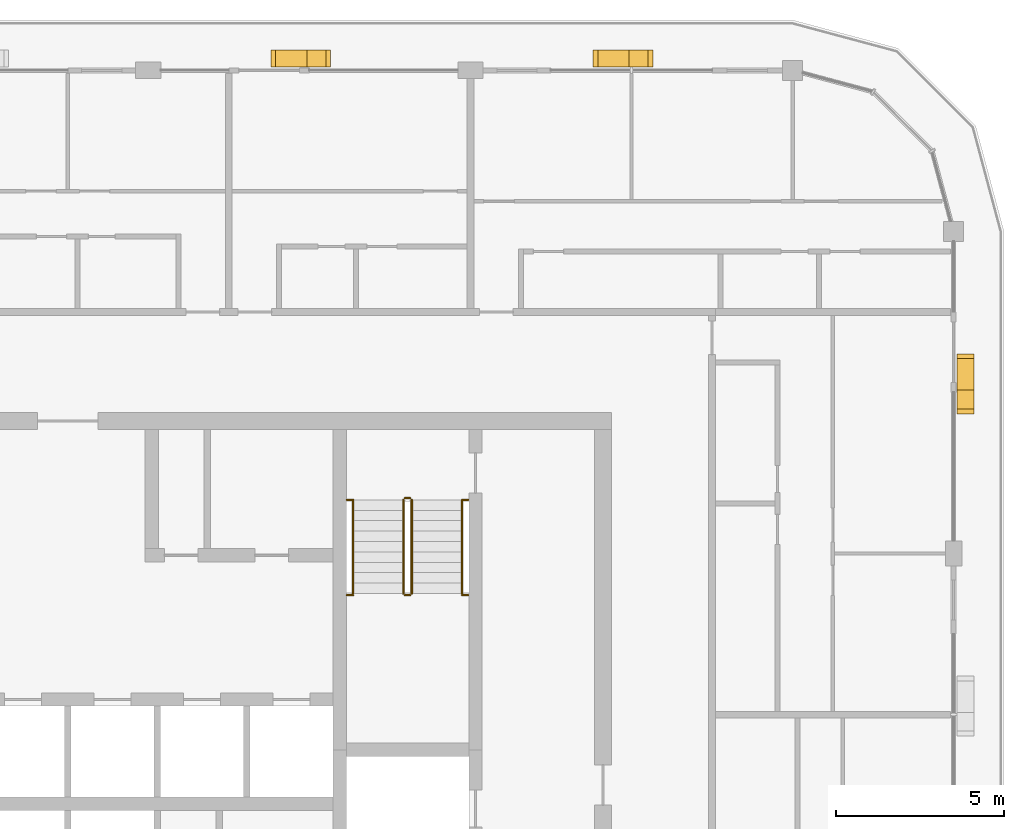
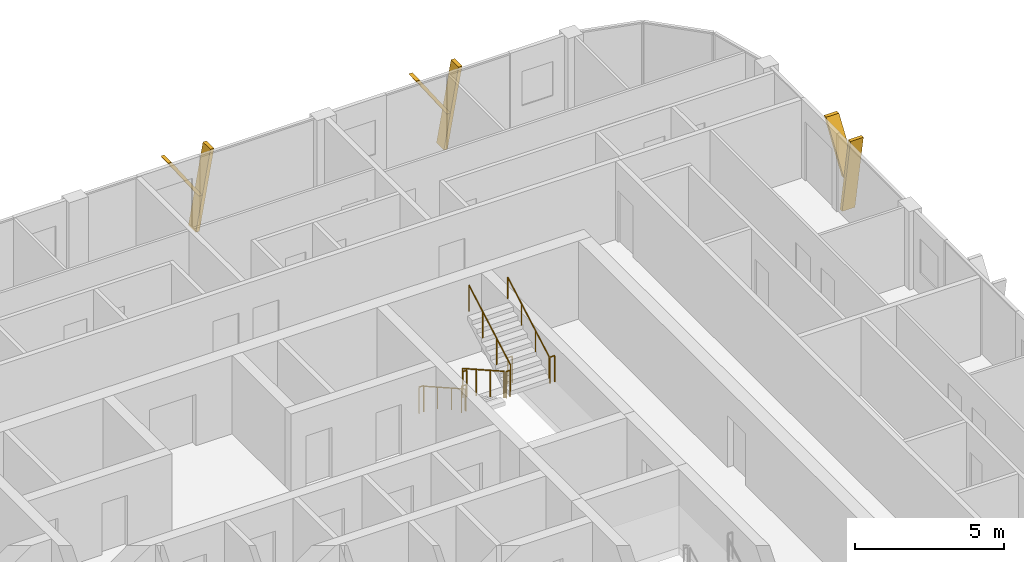
# One storey, part 21 of 21: 10 railings, 6 shading devices.
"""IFC4 building model written with IfcOpenShell, lengths in metres."""

from ifc_helpers import new_model, si_unit, direction, frame, origin, origin_2d, place, context, subcontext, project, spatial, polyline, circle, outline, extrude, material, type_object, element, save


model = new_model("IFC4")

# Units and contexts
model_context = context("Model", 3, precision=1e-05, world=origin(), true_north=direction((0.0, 1.0)))
body_context = subcontext(model_context, "Body", "Model", "MODEL_VIEW")
ifc_project = project(units=[si_unit("LENGTHUNIT", "METRE"), si_unit("AREAUNIT", "SQUARE_METRE"), si_unit("VOLUMEUNIT", "CUBIC_METRE"), si_unit("PLANEANGLEUNIT", "RADIAN"), si_unit("MASSUNIT", "GRAM", prefix="KILO")], contexts=[model_context])

# Site, building, storey
site_placement = place(None, origin())
site = spatial("IfcSite", under=ifc_project, at=site_placement, CompositionType="ELEMENT")
building_placement = place(site_placement, origin())
building = spatial("IfcBuilding", under=site, at=building_placement, Name="Madar Terraces", CompositionType="ELEMENT")
storey_placement = place(building_placement, frame((0.0, 0.0, 268.60009765625)))
storey = spatial("IfcBuildingStorey", under=building, at=storey_placement, Name="L70", CompositionType="ELEMENT", Elevation=268.60009765625)

# Shading devices
ifc_material_1 = material(Name="Aluminium, black anodised", Category="aluminium")
shading_device_type = type_object("IfcShadingDeviceType", Name="Facade fin blade 140 x 500", PredefinedType="USERDEFINED", material=ifc_material_1)
shading_device_1_placement = place(storey_placement, frame((57.949951171875, 38.330078125, 0.0), z_axis=(0.0, 0.0, 1.0), x_axis=(0.0, 1.0, 0.0)))
element("IfcShadingDevice", 1, at=shading_device_1_placement, inside=storey, type_object=shading_device_type, Name="FIN L70 E4", ObjectType="FIN", PredefinedType="USERDEFINED", context=body_context, shape_type="SweptSolid", body=[
    extrude(outline(polyline([(0.0, 0.0), (0.139892578125, 0.0), (-0.42431640625, 3.199951171875), (-0.564208984375, 3.199951171875), (0.0, 0.0)])), frame((0.0, 0.25, 0.0), z_axis=(0.0, -1.0, 0.0), x_axis=(1.0, 0.0, 0.0)), (0.0, 0.0, 1.0), 0.5),
])
shading_device_2_placement = place(storey_placement, frame((57.949951171875, 38.216064453125, 1.43994140625), z_axis=(0.0, 0.0, 1.0), x_axis=(0.0, 1.0, 0.0)))
element("IfcShadingDevice", 2, at=shading_device_2_placement, inside=storey, type_object=shading_device_type, Name="FIN L70 E4 branch", ObjectType="FIN", PredefinedType="USERDEFINED", context=body_context, shape_type="SweptSolid", body=[
    extrude(outline(polyline([(0.0, 0.0), (0.14013671875, 0.0), (1.32958984375, 1.760009765625), (1.189697265625, 1.760009765625), (0.0, 0.0)])), frame((0.0, 0.25, 0.0), z_axis=(0.0, -1.0, 0.0), x_axis=(1.0, 0.0, 0.0)), (0.0, 0.0, 1.0), 0.5),
])
shading_device_3_placement = place(storey_placement, frame((48.070068359375, 48.35009765625, 0.0), z_axis=(0.0, 0.0, 1.0), x_axis=(-1.0, 0.0, 0.0)))
element("IfcShadingDevice", 3, at=shading_device_3_placement, inside=storey, type_object=shading_device_type, Name="FIN L70 N1", ObjectType="FIN", PredefinedType="USERDEFINED", context=body_context, shape_type="SweptSolid", body=[
    extrude(outline(polyline([(0.0, 0.0), (0.14013671875, 0.0), (-0.42431640625, 3.199951171875), (-0.564208984375, 3.199951171875), (0.0, 0.0)])), frame((0.0, 0.25, 0.0), z_axis=(0.0, -1.0, 0.0), x_axis=(1.0, 0.0, 0.0)), (0.0, 0.0, 1.0), 0.5),
])
shading_device_4_placement = place(storey_placement, frame((48.183837890625, 48.35009765625, 1.43994140625), z_axis=(0.0, 0.0, 1.0), x_axis=(-1.0, 0.0, 0.0)))
element("IfcShadingDevice", 4, at=shading_device_4_placement, inside=storey, type_object=shading_device_type, Name="FIN L70 N1 branch", ObjectType="FIN", PredefinedType="USERDEFINED", context=body_context, shape_type="SweptSolid", body=[
    extrude(outline(polyline([(0.0, 0.0), (0.139892578125, 0.0), (1.32958984375, 1.760009765625), (1.189697265625, 1.760009765625), (0.0, 0.0)])), frame((0.0, 0.25, 0.0), z_axis=(0.0, -1.0, 0.0), x_axis=(1.0, 0.0, 0.0)), (0.0, 0.0, 1.0), 0.5),
])
shading_device_5_placement = place(storey_placement, frame((38.469970703125, 48.35009765625, 0.0), z_axis=(0.0, 0.0, 1.0), x_axis=(-1.0, 0.0, 0.0)))
element("IfcShadingDevice", 5, at=shading_device_5_placement, inside=storey, type_object=shading_device_type, Name="FIN L70 N2", ObjectType="FIN", PredefinedType="USERDEFINED", context=body_context, shape_type="SweptSolid", body=[
    extrude(outline(polyline([(0.0, 0.0), (0.139892578125, 0.0), (-0.42431640625, 3.199951171875), (-0.564208984375, 3.199951171875), (0.0, 0.0)])), frame((0.0, 0.25, 0.0), z_axis=(0.0, -1.0, 0.0), x_axis=(1.0, 0.0, 0.0)), (0.0, 0.0, 1.0), 0.5),
])
shading_device_6_placement = place(storey_placement, frame((38.583984375, 48.35009765625, 1.43994140625), z_axis=(0.0, 0.0, 1.0), x_axis=(-1.0, 0.0, 0.0)))
element("IfcShadingDevice", 6, at=shading_device_6_placement, inside=storey, type_object=shading_device_type, Name="FIN L70 N2 branch", ObjectType="FIN", PredefinedType="USERDEFINED", context=body_context, shape_type="SweptSolid", body=[
    extrude(outline(polyline([(0.0, 0.0), (0.14013671875, 0.0), (1.32958984375, 1.760009765625), (1.189697265625, 1.760009765625), (0.0, 0.0)])), frame((0.0, 0.25, 0.0), z_axis=(0.0, -1.0, 0.0), x_axis=(1.0, 0.0, 0.0)), (0.0, 0.0, 1.0), 0.5),
])

# Railings
ifc_material_2 = material(Name="Stainless steel railing", Category="steel")
railing_type_1 = type_object("IfcRailingType", Name="Stair guard 1100", PredefinedType="GUARDRAIL", material=ifc_material_2)
railing_1_placement = place(storey_placement, frame((41.199951171875, 35.199951171875, 0.1748046875)))
element("IfcRailing", 7, at=railing_1_placement, inside=storey, type_object=railing_type_1, Name="L70 ST2 stair guard 1", PredefinedType="GUARDRAIL", context=body_context, shape_type="SweptSolid", body=[
    extrude(circle(Radius=0.02392578125, at=origin_2d()), frame((0.0, 0.0, 1.076171875), z_axis=(0.0, -0.870801158333, 0.491635375706), x_axis=(1.0, 0.0, 0.0)), (0.0, 0.0, 1.0), 3.2041015625),
    extrude(circle(Radius=0.02099609375, at=origin_2d()), origin(), (0.0, 0.0, 1.0), 1.052001953125),
    extrude(circle(Radius=0.02099609375, at=origin_2d()), frame((0.0, -0.929931640625, 0.525146484375)), (0.0, 0.0, 1.0), 1.052001953125),
    extrude(circle(Radius=0.02099609375, at=origin_2d()), frame((0.0, -1.860107421875, 1.050048828125)), (0.0, 0.0, 1.0), 1.052001953125),
    extrude(circle(Radius=0.02099609375, at=origin_2d()), frame((0.0, -2.7900390625, 1.5751953125)), (0.0, 0.0, 1.0), 1.052001953125),
])
railing_2_placement = place(storey_placement, frame((41.25, 32.360107421875, 1.75)))
element("IfcRailing", 8, at=railing_2_placement, inside=storey, type_object=railing_type_1, Name="L70 ST2 stair guard 2", PredefinedType="GUARDRAIL", context=body_context, shape_type="SweptSolid", body=[
    extrude(circle(Radius=0.02392578125, at=origin_2d()), frame((0.0, 0.0, 1.076171875), z_axis=(1.0, 0.0, 0.0), x_axis=(0.0, 1.0, 0.0)), (0.0, 0.0, 1.0), 0.14990234375),
    extrude(circle(Radius=0.02099609375, at=origin_2d()), origin(), (0.0, 0.0, 1.0), 1.052001953125),
    extrude(circle(Radius=0.02099609375, at=origin_2d()), frame((0.14990234375, 0.0, 0.0)), (0.0, 0.0, 1.0), 1.052001953125),
])
railing_3_placement = place(storey_placement, frame((41.449951171875, 32.409912109375, 1.9248046875)))
element("IfcRailing", 9, at=railing_3_placement, inside=storey, type_object=railing_type_1, Name="L70 ST2 stair guard 3", PredefinedType="GUARDRAIL", context=body_context, shape_type="SweptSolid", body=[
    extrude(circle(Radius=0.02392578125, at=origin_2d()), frame((0.0, 0.0, 1.076171875), z_axis=(0.0, 0.870801158333, 0.491635375706), x_axis=(-1.0, 0.0, 0.0)), (0.0, 0.0, 1.0), 3.2041015625),
    extrude(circle(Radius=0.02099609375, at=origin_2d()), origin(), (0.0, 0.0, 1.0), 1.052001953125),
    extrude(circle(Radius=0.02099609375, at=origin_2d()), frame((0.0, 0.929931640625, 0.525146484375)), (0.0, 0.0, 1.0), 1.052001953125),
    extrude(circle(Radius=0.02099609375, at=origin_2d()), frame((0.0, 1.860107421875, 1.050048828125)), (0.0, 0.0, 1.0), 1.052001953125),
    extrude(circle(Radius=0.02099609375, at=origin_2d()), frame((0.0, 2.7900390625, 1.5751953125)), (0.0, 0.0, 1.0), 1.052001953125),
])
railing_4_placement = place(storey_placement, frame((41.25, 35.25, 0.0)))
element("IfcRailing", 10, at=railing_4_placement, inside=storey, type_object=railing_type_1, Name="L70 ST2 stair guard 4", PredefinedType="GUARDRAIL", context=body_context, shape_type="SweptSolid", body=[
    extrude(circle(Radius=0.02392578125, at=origin_2d()), frame((0.0, 0.0, 1.076171875), z_axis=(1.0, 0.0, 0.0), x_axis=(0.0, 1.0, 0.0)), (0.0, 0.0, 1.0), 0.14990234375),
    extrude(circle(Radius=0.02099609375, at=origin_2d()), origin(), (0.0, 0.0, 1.0), 1.052001953125),
    extrude(circle(Radius=0.02099609375, at=origin_2d()), frame((0.14990234375, 0.0, 0.0)), (0.0, 0.0, 1.0), 1.052001953125),
])
for number, where, name in (
    (11, (39.52001953125, 32.360107421875, 1.75), "L70 stair guard seat 1"),
    (12, (42.949951171875, 32.360107421875, 1.75), "L70 stair guard seat 2"),
    (13, (39.52001953125, 35.199951171875, 0.0), "L70 stair guard floor 1"),
    (14, (42.949951171875, 35.199951171875, 0.0), "L70 stair guard floor 2"),
):
    element("IfcRailing", number, at=place(storey_placement, frame(where)), inside=storey, type_object=railing_type_1, Name=name, PredefinedType="GUARDRAIL", context=body_context, shape_type="SweptSolid", body=[
        extrude(circle(Radius=0.02392578125, at=origin_2d()), frame((0.0, 0.0, 1.076171875), z_axis=(1.0, 0.0, 0.0), x_axis=(0.0, 1.0, 0.0)), (0.0, 0.0, 1.0), 0.179931640625),
        extrude(circle(Radius=0.02099609375, at=origin_2d()), origin(), (0.0, 0.0, 1.0), 1.052001953125),
        extrude(circle(Radius=0.02099609375, at=origin_2d()), frame((0.179931640625, 0.0, 0.0)), (0.0, 0.0, 1.0), 1.052001953125),
    ])
ifc_material_3 = material(Name="Stainless steel railing", Category="steel")
railing_type_2 = type_object("IfcRailingType", Name="Stair handrail 900", PredefinedType="HANDRAIL", material=ifc_material_3)
railing_5_placement = place(storey_placement, frame((39.699951171875, 35.199951171875, 0.1748046875)))
element("IfcRailing", 15, at=railing_5_placement, inside=storey, type_object=railing_type_2, Name="L70 ST2 stair handrail 1", PredefinedType="HANDRAIL", context=body_context, shape_type="SweptSolid", body=[
    extrude(circle(Radius=0.02392578125, at=origin_2d()), frame((0.0, 0.0, 0.8759765625), z_axis=(0.0, -0.870801158333, 0.491635375706), x_axis=(1.0, 0.0, 0.0)), (0.0, 0.0, 1.0), 3.2041015625),
    extrude(circle(Radius=0.02099609375, at=origin_2d()), origin(), (0.0, 0.0, 1.0), 0.851806640625),
    extrude(circle(Radius=0.02099609375, at=origin_2d()), frame((0.0, -0.929931640625, 0.525146484375)), (0.0, 0.0, 1.0), 0.851806640625),
    extrude(circle(Radius=0.02099609375, at=origin_2d()), frame((0.0, -1.860107421875, 1.050048828125)), (0.0, 0.0, 1.0), 0.851806640625),
    extrude(circle(Radius=0.02099609375, at=origin_2d()), frame((0.0, -2.7900390625, 1.5751953125)), (0.0, 0.0, 1.0), 0.851806640625),
])
railing_6_placement = place(storey_placement, frame((42.949951171875, 32.409912109375, 1.9248046875)))
element("IfcRailing", 16, at=railing_6_placement, inside=storey, type_object=railing_type_2, Name="L70 ST2 stair handrail 2", PredefinedType="HANDRAIL", context=body_context, shape_type="SweptSolid", body=[
    extrude(circle(Radius=0.02392578125, at=origin_2d()), frame((0.0, 0.0, 0.8759765625), z_axis=(0.0, 0.870801158333, 0.491635375706), x_axis=(-1.0, 0.0, 0.0)), (0.0, 0.0, 1.0), 3.2041015625),
    extrude(circle(Radius=0.02099609375, at=origin_2d()), origin(), (0.0, 0.0, 1.0), 0.851806640625),
    extrude(circle(Radius=0.02099609375, at=origin_2d()), frame((0.0, 0.929931640625, 0.525146484375)), (0.0, 0.0, 1.0), 0.851806640625),
    extrude(circle(Radius=0.02099609375, at=origin_2d()), frame((0.0, 1.860107421875, 1.050048828125)), (0.0, 0.0, 1.0), 0.851806640625),
    extrude(circle(Radius=0.02099609375, at=origin_2d()), frame((0.0, 2.7900390625, 1.5751953125)), (0.0, 0.0, 1.0), 0.851806640625),
])

save(model, "model.ifc")
